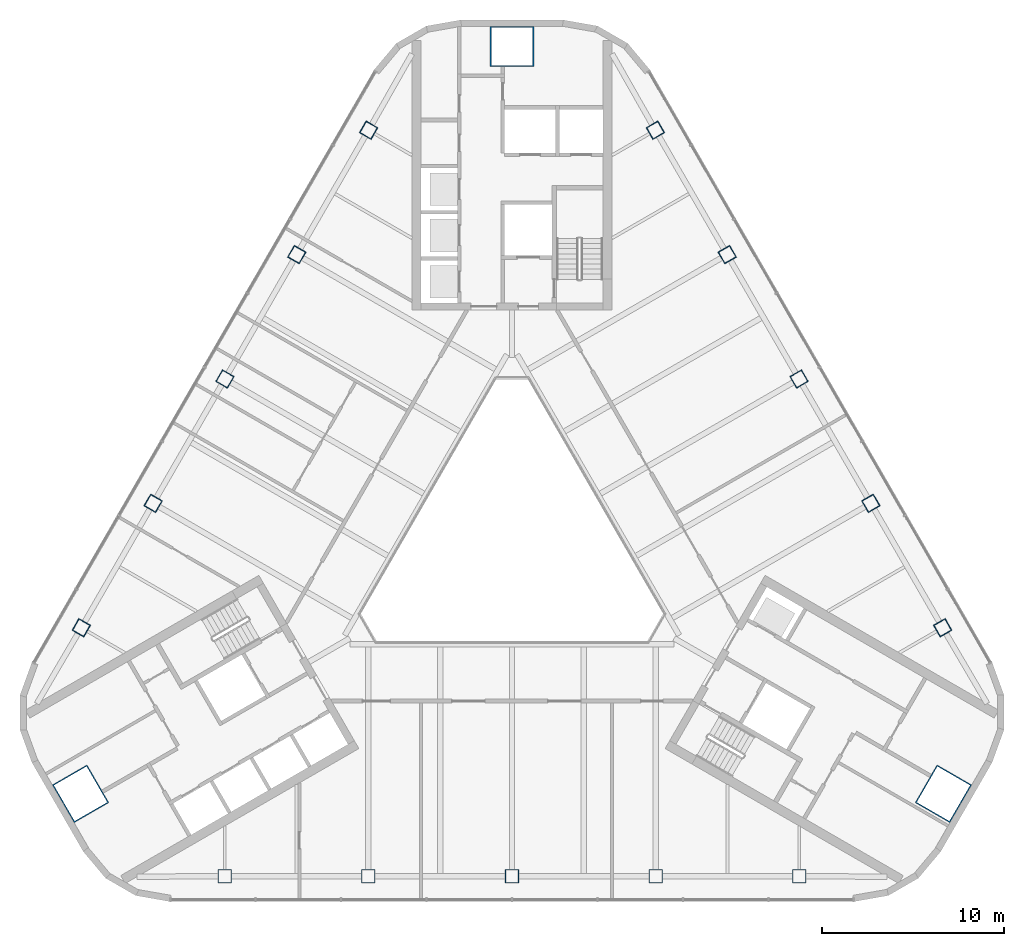
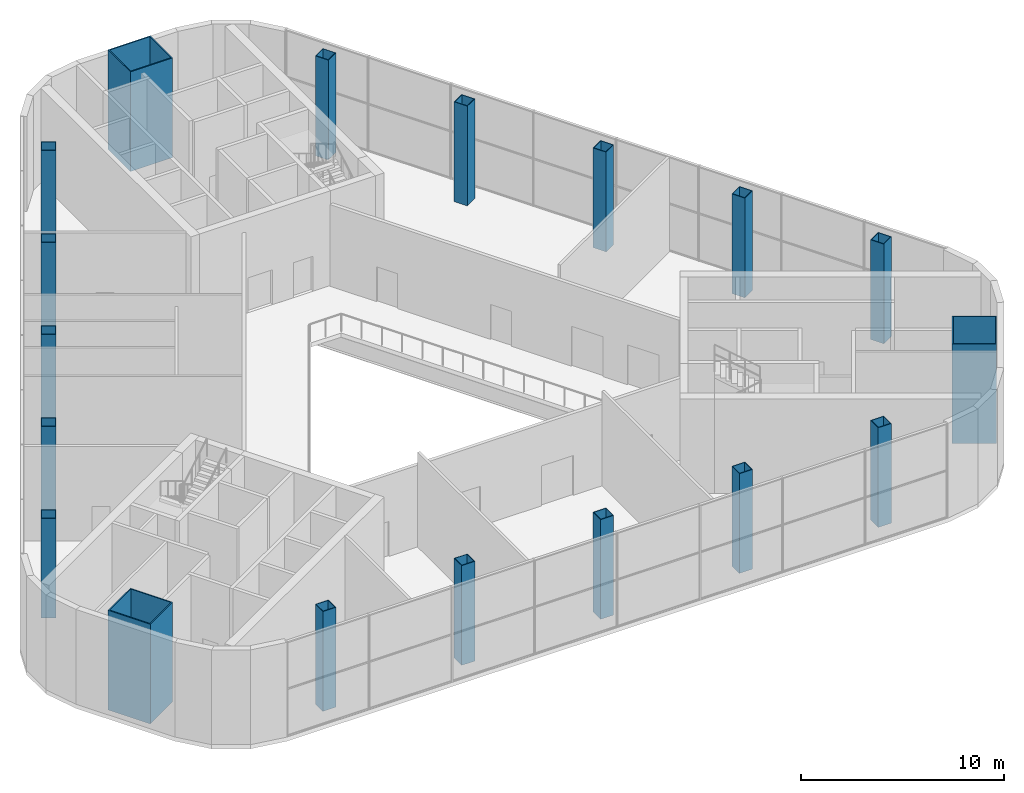
# One storey, part 1 of 14: 18 columns.
"""IFC4 building model written with IfcOpenShell, lengths in metres."""

from ifc_helpers import new_model, si_unit, direction, frame, origin, origin_2d, place, context, subcontext, project, spatial, rectangle, hollow_rectangle, extrude, material, material_profile, profile_set, type_object, element, save


model = new_model("IFC4")

# Units and contexts
model_context = context("Model", 3, precision=1e-05, world=origin(), true_north=direction((0.0, 1.0)))
body_context = subcontext(model_context, "Body", "Model", "MODEL_VIEW")
ifc_project = project(units=[si_unit("LENGTHUNIT", "METRE"), si_unit("AREAUNIT", "SQUARE_METRE"), si_unit("VOLUMEUNIT", "CUBIC_METRE"), si_unit("PLANEANGLEUNIT", "RADIAN"), si_unit("MASSUNIT", "GRAM", prefix="KILO")], contexts=[model_context])

# Site, building, storey
site_placement = place(None, origin())
site = spatial("IfcSite", under=ifc_project, at=site_placement, CompositionType="ELEMENT")
building_placement = place(site_placement, origin())
building = spatial("IfcBuilding", under=site, at=building_placement, Name="Apuvela Tower Hotel", CompositionType="ELEMENT")
storey_placement = place(building_placement, frame((0.0, 0.0, 231.699951171875)))
storey = spatial("IfcBuildingStorey", under=building, at=storey_placement, Name="L57", CompositionType="ELEMENT", Elevation=231.699951171875)

# Columns
ifc_material_1 = material(Name="Steel S460", Category="steel")
ifc_material_profile_1 = material_profile(ifc_material_1, hollow_rectangle(XDim=2.39990234375, YDim=2.199951171875, WallThickness=0.06005859375, at=origin_2d()), Name="BOX 2400x2200x60")
ifc_material_2 = material(Name="Concrete C80/95", Category="concrete")
ifc_material_profile_2 = material_profile(ifc_material_2, rectangle(XDim=2.280029296875, YDim=2.080078125, at=origin_2d()), Name="Concrete C80/95 infill")
ifc_profile_set_1 = profile_set([ifc_material_profile_1, ifc_material_profile_2], Name="Steel S460")
column_type_1 = type_object("IfcColumnType", Name="STR-MC mega column BOX 2400x2200x60", PredefinedType="COLUMN", material=ifc_profile_set_1)
for number, where, z_axis, x_axis, name in (
    (1, (0.0, 27.39990234375, 0.0), (0.0, 0.0, 1.0), (1.0, 0.0, 0.0), "Mega column MC3 N"),
    (2, (-23.72900390625, -13.699951171875, 0.0), (0.0, 0.0, 1.0), (-0.5, 0.866025403784, 0.0), "Mega column MC3 SW"),
    (3, (23.72900390625, -13.699951171875, 0.0), (0.0, 0.0, 1.0), (0.5, 0.866025403784, 0.0), "Mega column MC3 SE"),
):
    element("IfcColumn", number, at=place(storey_placement, frame(where, z_axis=z_axis, x_axis=x_axis)), inside=storey, type_object=column_type_1, Name=name, PredefinedType="COLUMN", context=body_context, shape_type="SweptSolid", body=[
        extrude(hollow_rectangle(XDim=2.39990234375, YDim=2.199951171875, WallThickness=0.06005859375, at=origin_2d()), origin(), (0.0, 0.0, 1.0), 6.0),
    ])
ifc_material_profile_3 = material_profile(ifc_material_1, hollow_rectangle(XDim=0.75, YDim=0.75, WallThickness=0.034912109375, at=origin_2d()), Name="BOX 750x750x35")
ifc_material_profile_4 = material_profile(ifc_material_2, rectangle(XDim=0.679931640625, YDim=0.679931640625, at=origin_2d()), Name="Concrete C80/95 infill")
ifc_profile_set_2 = profile_set([ifc_material_profile_3, ifc_material_profile_4], Name="Steel S460")
column_type_2 = type_object("IfcColumnType", Name="STR-PC perimeter column BOX 750x750x35", PredefinedType="COLUMN", material=ifc_profile_set_2)
for number, where, z_axis, x_axis, name in (
    (4, (-15.800048828125, -18.22998046875, 0.0), (0.0, 0.0, 1.0), (-1.0, 0.0, 0.0), "Perimeter column C5 S1"),
    (5, (-7.89990234375, -18.22998046875, 0.0), (0.0, 0.0, 1.0), (-1.0, 0.0, 0.0), "Perimeter column C5 S2"),
    (6, (0.0, -18.22998046875, 0.0), (0.0, 0.0, 1.0), (-1.0, 0.0, 0.0), "Perimeter column C5 S3"),
    (7, (7.89990234375, -18.22998046875, 0.0), (0.0, 0.0, 1.0), (-1.0, 0.0, 0.0), "Perimeter column C5 S4"),
    (8, (15.800048828125, -18.22998046875, 0.0), (0.0, 0.0, 1.0), (-1.0, 0.0, 0.0), "Perimeter column C5 S5"),
    (9, (23.6875, -4.568115234375, 0.0), (0.0, 0.0, 1.0), (-0.5, 0.866025403784, 0.0), "Perimeter column C5 NE1"),
    (10, (19.737548828125, 2.2734375, 0.0), (0.0, 0.0, 1.0), (-0.5, 0.866025403784, 0.0), "Perimeter column C5 NE2"),
    (11, (15.78759765625, 9.114990234375, 0.0), (0.0, 0.0, 1.0), (-0.5, 0.866025403784, 0.0), "Perimeter column C5 NE3"),
    (12, (11.837646484375, 15.95654296875, 0.0), (0.0, 0.0, 1.0), (-0.5, 0.866025403784, 0.0), "Perimeter column C5 NE4"),
    (13, (7.8876953125, 22.798095703125, 0.0), (0.0, 0.0, 1.0), (-0.5, 0.866025403784, 0.0), "Perimeter column C5 NE5"),
    (14, (-7.8876953125, 22.798095703125, 0.0), (0.0, 0.0, 1.0), (0.5, 0.866025403784, 0.0), "Perimeter column C5 NW1"),
    (15, (-11.837646484375, 15.95654296875, 0.0), (0.0, 0.0, 1.0), (0.5, 0.866025403784, 0.0), "Perimeter column C5 NW2"),
    (16, (-15.78759765625, 9.114990234375, 0.0), (0.0, 0.0, 1.0), (0.5, 0.866025403784, 0.0), "Perimeter column C5 NW3"),
    (17, (-19.737548828125, 2.2734375, 0.0), (0.0, 0.0, 1.0), (0.5, 0.866025403784, 0.0), "Perimeter column C5 NW4"),
    (18, (-23.6875, -4.568115234375, 0.0), (0.0, 0.0, 1.0), (0.5, 0.866025403784, 0.0), "Perimeter column C5 NW5"),
):
    element("IfcColumn", number, at=place(storey_placement, frame(where, z_axis=z_axis, x_axis=x_axis)), inside=storey, type_object=column_type_2, Name=name, PredefinedType="COLUMN", context=body_context, shape_type="SweptSolid", body=[
        extrude(hollow_rectangle(XDim=0.75, YDim=0.75, WallThickness=0.034912109375, at=origin_2d()), origin(), (0.0, 0.0, 1.0), 6.0),
    ])

save(model, "model.ifc")
